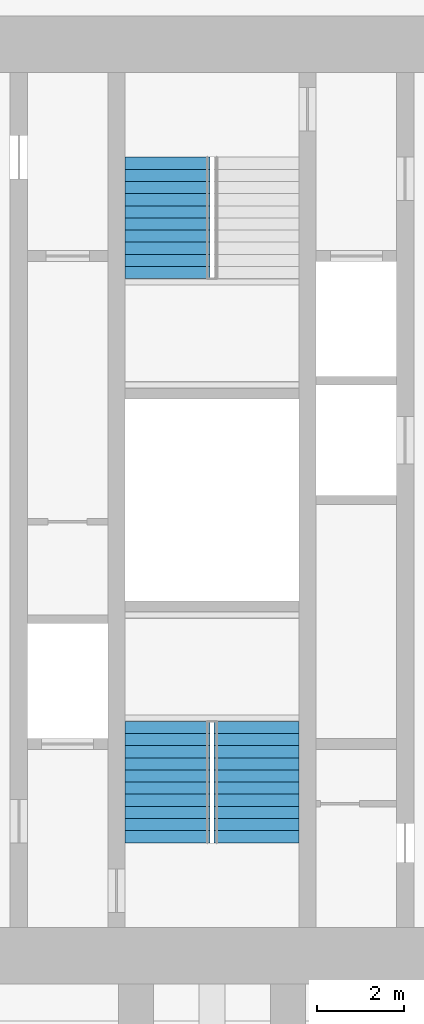
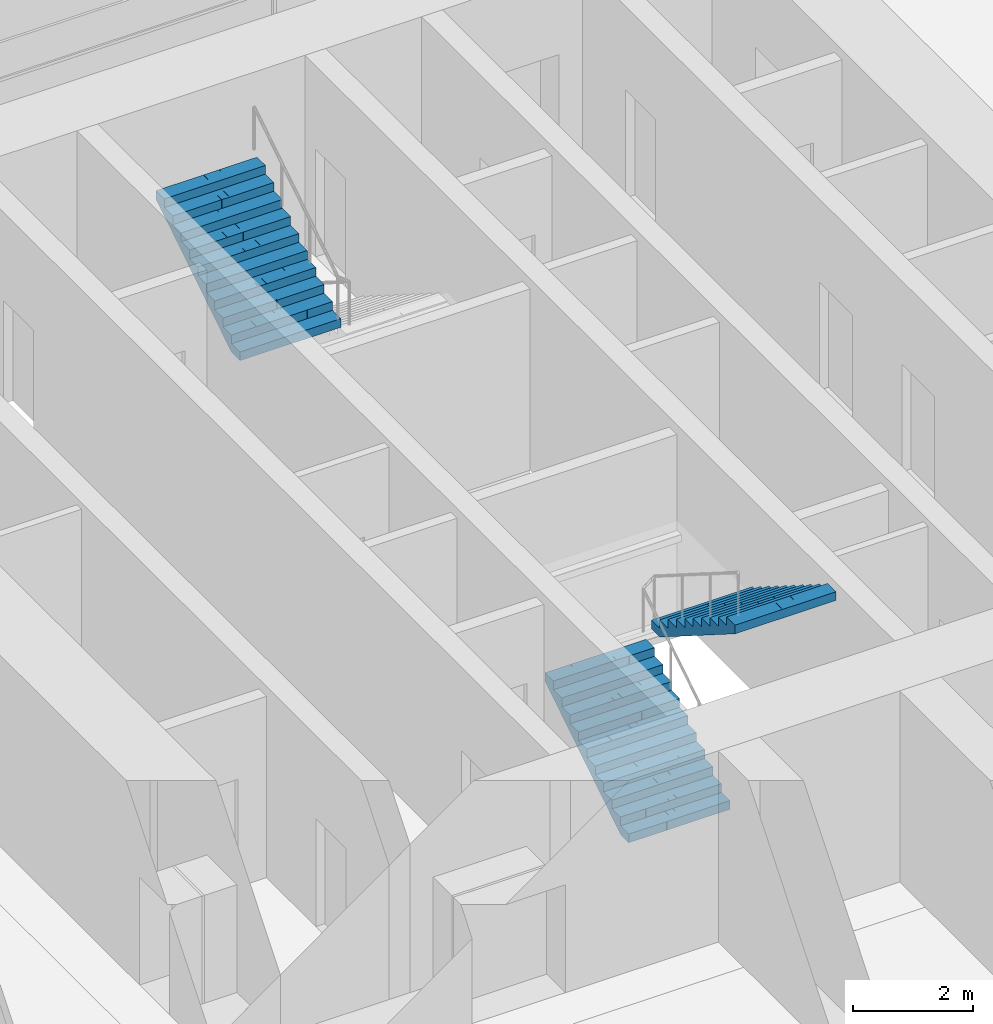
# One storey, part 14 of 16: 3 stair flights, 2 elements without a shape of their own.
"""IFC4 building model written with IfcOpenShell, lengths in metres."""

from ifc_helpers import new_model, si_unit, direction, frame, origin, place, context, subcontext, project, spatial, polyline, outline, extrude, material, type_object, element, aggregate, save


model = new_model("IFC4")

# Units and contexts
model_context = context("Model", 3, precision=1e-05, world=origin(), true_north=direction((0.0, 1.0)))
body_context = subcontext(model_context, "Body", "Model", "MODEL_VIEW")
ifc_project = project(units=[si_unit("LENGTHUNIT", "METRE"), si_unit("AREAUNIT", "SQUARE_METRE"), si_unit("VOLUMEUNIT", "CUBIC_METRE"), si_unit("PLANEANGLEUNIT", "RADIAN"), si_unit("MASSUNIT", "GRAM", prefix="KILO")], contexts=[model_context])

# Site, building, storey
site_placement = place(None, origin())
site = spatial("IfcSite", under=ifc_project, at=site_placement, CompositionType="ELEMENT")
building_placement = place(site_placement, origin())
building = spatial("IfcBuilding", under=site, at=building_placement, Name="Mizan Broadcast Tower", CompositionType="ELEMENT")
storey_placement = place(building_placement, frame((0.0, 0.0, 294.60009765625)))
storey = spatial("IfcBuildingStorey", under=building, at=storey_placement, Name="L70", CompositionType="ELEMENT", Elevation=294.60009765625)

# Stair, stair flights
ifc_material_1 = material(Name="Concrete C40/50", Category="concrete")
stair_type = type_object("IfcStairType", Name="EXIT STAIR", PredefinedType="HALF_TURN_STAIR", material=ifc_material_1)
stair_1_placement = place(storey_placement, origin())
stair_1 = element("IfcStair", 1, at=stair_1_placement, inside=storey, type_object=stair_type, Name="Stair A L70", PredefinedType="HALF_TURN_STAIR")
ifc_material_2 = material(Name="Concrete C40/50", Category="concrete")
stair_flight_type = type_object("IfcStairFlightType", Name="EXIT STAIR FLIGHT", PredefinedType="STRAIGHT", material=ifc_material_2)
stair_flight_1_placement = place(storey_placement, frame((-1.02490234375, -7.89990234375, 0.0), z_axis=(0.0, 0.0, 1.0), x_axis=(0.0, 1.0, 0.0)))
stair_flight_1 = element("IfcStairFlight", 2, at=stair_flight_1_placement, type_object=stair_flight_type, Name="A flight 1", NumberOfRisers=11, NumberOfTreads=10, PredefinedType="STRAIGHT", RiserHeight=0.177272727, TreadLength=0.28, context=body_context, shape_type="SweptSolid", body=[
    extrude(outline(polyline([(0.0, 0.0), (0.0, 0.17724609375), (0.280029296875, 0.17724609375), (0.280029296875, 0.3544921875), (0.56005859375, 0.3544921875), (0.56005859375, 0.53173828125), (0.840087890625, 0.53173828125), (0.840087890625, 0.708984375), (1.1201171875, 0.708984375), (1.1201171875, 0.886474609375), (1.39990234375, 0.886474609375), (1.39990234375, 1.063720703125), (1.679931640625, 1.063720703125), (1.679931640625, 1.240966796875), (1.9599609375, 1.240966796875), (1.9599609375, 1.418212890625), (2.239990234375, 1.418212890625), (2.239990234375, 1.595458984375), (2.52001953125, 1.595458984375), (2.52001953125, 1.772705078125), (2.800048828125, 1.772705078125), (2.800048828125, 1.949951171875), (2.800048828125, 1.59521484375), (0.2802734375, 0.0), (0.0, 0.0)])), frame((0.0, 0.97509765625, 0.0), z_axis=(0.0, -1.0, 0.0), x_axis=(1.0, 0.0, 0.0)), (0.0, 0.0, 1.0), 0.4873046875),
    extrude(outline(polyline([(0.0, 0.0), (0.0, 0.17724609375), (0.280029296875, 0.17724609375), (0.280029296875, 0.3544921875), (0.56005859375, 0.3544921875), (0.56005859375, 0.53173828125), (0.840087890625, 0.53173828125), (0.840087890625, 0.708984375), (1.1201171875, 0.708984375), (1.1201171875, 0.886474609375), (1.39990234375, 0.886474609375), (1.39990234375, 1.063720703125), (1.679931640625, 1.063720703125), (1.679931640625, 1.240966796875), (1.9599609375, 1.240966796875), (1.9599609375, 1.418212890625), (2.239990234375, 1.418212890625), (2.239990234375, 1.595458984375), (2.52001953125, 1.595458984375), (2.52001953125, 1.772705078125), (2.800048828125, 1.772705078125), (2.800048828125, 1.949951171875), (2.800048828125, 1.59521484375), (0.2802734375, 0.0), (0.0, 0.0)])), frame((0.0, 0.4873046875, 0.0), z_axis=(0.0, -1.0, 0.0), x_axis=(1.0, 0.0, 0.0)), (0.0, 0.0, 1.0), 0.2431640625),
    extrude(outline(polyline([(0.0, 0.0), (0.0, 0.17724609375), (0.280029296875, 0.17724609375), (0.280029296875, 0.3544921875), (0.56005859375, 0.3544921875), (0.56005859375, 0.53173828125), (0.840087890625, 0.53173828125), (0.840087890625, 0.708984375), (1.1201171875, 0.708984375), (1.1201171875, 0.886474609375), (1.39990234375, 0.886474609375), (1.39990234375, 1.063720703125), (1.679931640625, 1.063720703125), (1.679931640625, 1.240966796875), (1.9599609375, 1.240966796875), (1.9599609375, 1.418212890625), (2.239990234375, 1.418212890625), (2.239990234375, 1.595458984375), (2.52001953125, 1.595458984375), (2.52001953125, 1.772705078125), (2.800048828125, 1.772705078125), (2.800048828125, 1.949951171875), (2.800048828125, 1.59521484375), (0.2802734375, 0.0), (0.0, 0.0)])), frame((0.0, 0.24365234375, 0.0), z_axis=(0.0, -1.0, 0.0), x_axis=(1.0, 0.0, 0.0)), (0.0, 0.0, 1.0), 0.121337890625),
    extrude(outline(polyline([(0.0, 0.0), (0.0, 0.17724609375), (0.280029296875, 0.17724609375), (0.280029296875, 0.3544921875), (0.56005859375, 0.3544921875), (0.56005859375, 0.53173828125), (0.840087890625, 0.53173828125), (0.840087890625, 0.708984375), (1.1201171875, 0.708984375), (1.1201171875, 0.886474609375), (1.39990234375, 0.886474609375), (1.39990234375, 1.063720703125), (1.679931640625, 1.063720703125), (1.679931640625, 1.240966796875), (1.9599609375, 1.240966796875), (1.9599609375, 1.418212890625), (2.239990234375, 1.418212890625), (2.239990234375, 1.595458984375), (2.52001953125, 1.595458984375), (2.52001953125, 1.772705078125), (2.800048828125, 1.772705078125), (2.800048828125, 1.949951171875), (2.800048828125, 1.59521484375), (0.2802734375, 0.0), (0.0, 0.0)])), frame((0.0, 0.121826171875, 0.0), z_axis=(0.0, -1.0, 0.0), x_axis=(1.0, 0.0, 0.0)), (0.0, 0.0, 1.0), 0.060546875),
    extrude(outline(polyline([(0.0, 0.0), (0.0, 0.17724609375), (0.280029296875, 0.17724609375), (0.280029296875, 0.3544921875), (0.56005859375, 0.3544921875), (0.56005859375, 0.53173828125), (0.840087890625, 0.53173828125), (0.840087890625, 0.708984375), (1.1201171875, 0.708984375), (1.1201171875, 0.886474609375), (1.39990234375, 0.886474609375), (1.39990234375, 1.063720703125), (1.679931640625, 1.063720703125), (1.679931640625, 1.240966796875), (1.9599609375, 1.240966796875), (1.9599609375, 1.418212890625), (2.239990234375, 1.418212890625), (2.239990234375, 1.595458984375), (2.52001953125, 1.595458984375), (2.52001953125, 1.772705078125), (2.800048828125, 1.772705078125), (2.800048828125, 1.949951171875), (2.800048828125, 1.59521484375), (0.2802734375, 0.0), (0.0, 0.0)])), frame((0.0, 0.060791015625, 0.0), z_axis=(0.0, -1.0, 0.0), x_axis=(1.0, 0.0, 0.0)), (0.0, 0.0, 1.0), 0.030029296875),
    extrude(outline(polyline([(0.0, 0.0), (0.0, 0.17724609375), (0.280029296875, 0.17724609375), (0.280029296875, 0.3544921875), (0.56005859375, 0.3544921875), (0.56005859375, 0.53173828125), (0.840087890625, 0.53173828125), (0.840087890625, 0.708984375), (1.1201171875, 0.708984375), (1.1201171875, 0.886474609375), (1.39990234375, 0.886474609375), (1.39990234375, 1.063720703125), (1.679931640625, 1.063720703125), (1.679931640625, 1.240966796875), (1.9599609375, 1.240966796875), (1.9599609375, 1.418212890625), (2.239990234375, 1.418212890625), (2.239990234375, 1.595458984375), (2.52001953125, 1.595458984375), (2.52001953125, 1.772705078125), (2.800048828125, 1.772705078125), (2.800048828125, 1.949951171875), (2.800048828125, 1.59521484375), (0.2802734375, 0.0), (0.0, 0.0)])), frame((0.0, 0.0302734375, 0.0), z_axis=(0.0, -1.0, 0.0), x_axis=(1.0, 0.0, 0.0)), (0.0, 0.0, 1.0), 0.060302734375),
    extrude(outline(polyline([(0.0, 0.0), (0.0, 0.17724609375), (0.280029296875, 0.17724609375), (0.280029296875, 0.3544921875), (0.56005859375, 0.3544921875), (0.56005859375, 0.53173828125), (0.840087890625, 0.53173828125), (0.840087890625, 0.708984375), (1.1201171875, 0.708984375), (1.1201171875, 0.886474609375), (1.39990234375, 0.886474609375), (1.39990234375, 1.063720703125), (1.679931640625, 1.063720703125), (1.679931640625, 1.240966796875), (1.9599609375, 1.240966796875), (1.9599609375, 1.418212890625), (2.239990234375, 1.418212890625), (2.239990234375, 1.595458984375), (2.52001953125, 1.595458984375), (2.52001953125, 1.772705078125), (2.800048828125, 1.772705078125), (2.800048828125, 1.949951171875), (2.800048828125, 1.59521484375), (0.2802734375, 0.0), (0.0, 0.0)])), frame((0.0, -0.030517578125, 0.0), z_axis=(0.0, -1.0, 0.0), x_axis=(1.0, 0.0, 0.0)), (0.0, 0.0, 1.0), 0.030029296875),
    extrude(outline(polyline([(0.0, 0.0), (0.0, 0.17724609375), (0.280029296875, 0.17724609375), (0.280029296875, 0.3544921875), (0.56005859375, 0.3544921875), (0.56005859375, 0.53173828125), (0.840087890625, 0.53173828125), (0.840087890625, 0.708984375), (1.1201171875, 0.708984375), (1.1201171875, 0.886474609375), (1.39990234375, 0.886474609375), (1.39990234375, 1.063720703125), (1.679931640625, 1.063720703125), (1.679931640625, 1.240966796875), (1.9599609375, 1.240966796875), (1.9599609375, 1.418212890625), (2.239990234375, 1.418212890625), (2.239990234375, 1.595458984375), (2.52001953125, 1.595458984375), (2.52001953125, 1.772705078125), (2.800048828125, 1.772705078125), (2.800048828125, 1.949951171875), (2.800048828125, 1.59521484375), (0.2802734375, 0.0), (0.0, 0.0)])), frame((0.0, -0.06103515625, 0.0), z_axis=(0.0, -1.0, 0.0), x_axis=(1.0, 0.0, 0.0)), (0.0, 0.0, 1.0), 0.060546875),
    extrude(outline(polyline([(0.0, 0.0), (0.0, 0.17724609375), (0.280029296875, 0.17724609375), (0.280029296875, 0.3544921875), (0.56005859375, 0.3544921875), (0.56005859375, 0.53173828125), (0.840087890625, 0.53173828125), (0.840087890625, 0.708984375), (1.1201171875, 0.708984375), (1.1201171875, 0.886474609375), (1.39990234375, 0.886474609375), (1.39990234375, 1.063720703125), (1.679931640625, 1.063720703125), (1.679931640625, 1.240966796875), (1.9599609375, 1.240966796875), (1.9599609375, 1.418212890625), (2.239990234375, 1.418212890625), (2.239990234375, 1.595458984375), (2.52001953125, 1.595458984375), (2.52001953125, 1.772705078125), (2.800048828125, 1.772705078125), (2.800048828125, 1.949951171875), (2.800048828125, 1.59521484375), (0.2802734375, 0.0), (0.0, 0.0)])), frame((0.0, -0.1220703125, 0.0), z_axis=(0.0, -1.0, 0.0), x_axis=(1.0, 0.0, 0.0)), (0.0, 0.0, 1.0), 0.121337890625),
    extrude(outline(polyline([(0.0, 0.0), (0.0, 0.17724609375), (0.280029296875, 0.17724609375), (0.280029296875, 0.3544921875), (0.56005859375, 0.3544921875), (0.56005859375, 0.53173828125), (0.840087890625, 0.53173828125), (0.840087890625, 0.708984375), (1.1201171875, 0.708984375), (1.1201171875, 0.886474609375), (1.39990234375, 0.886474609375), (1.39990234375, 1.063720703125), (1.679931640625, 1.063720703125), (1.679931640625, 1.240966796875), (1.9599609375, 1.240966796875), (1.9599609375, 1.418212890625), (2.239990234375, 1.418212890625), (2.239990234375, 1.595458984375), (2.52001953125, 1.595458984375), (2.52001953125, 1.772705078125), (2.800048828125, 1.772705078125), (2.800048828125, 1.949951171875), (2.800048828125, 1.59521484375), (0.2802734375, 0.0), (0.0, 0.0)])), frame((0.0, -0.243896484375, 0.0), z_axis=(0.0, -1.0, 0.0), x_axis=(1.0, 0.0, 0.0)), (0.0, 0.0, 1.0), 0.2431640625),
    extrude(outline(polyline([(0.0, 0.0), (0.0, 0.17724609375), (0.280029296875, 0.17724609375), (0.280029296875, 0.3544921875), (0.56005859375, 0.3544921875), (0.56005859375, 0.53173828125), (0.840087890625, 0.53173828125), (0.840087890625, 0.708984375), (1.1201171875, 0.708984375), (1.1201171875, 0.886474609375), (1.39990234375, 0.886474609375), (1.39990234375, 1.063720703125), (1.679931640625, 1.063720703125), (1.679931640625, 1.240966796875), (1.9599609375, 1.240966796875), (1.9599609375, 1.418212890625), (2.239990234375, 1.418212890625), (2.239990234375, 1.595458984375), (2.52001953125, 1.595458984375), (2.52001953125, 1.772705078125), (2.800048828125, 1.772705078125), (2.800048828125, 1.949951171875), (2.800048828125, 1.59521484375), (0.2802734375, 0.0), (0.0, 0.0)])), frame((0.0, -0.487548828125, 0.0), z_axis=(0.0, -1.0, 0.0), x_axis=(1.0, 0.0, 0.0)), (0.0, 0.0, 1.0), 0.4873046875),
])
stair_flight_2_placement = place(storey_placement, frame((1.02490234375, -5.10009765625, 1.949951171875), z_axis=(0.0, 0.0, 1.0), x_axis=(0.0, -1.0, 0.0)))
stair_flight_2 = element("IfcStairFlight", 3, at=stair_flight_2_placement, type_object=stair_flight_type, Name="A flight 2", NumberOfRisers=11, NumberOfTreads=10, PredefinedType="STRAIGHT", RiserHeight=0.177272727, TreadLength=0.28, context=body_context, shape_type="SweptSolid", body=[
    extrude(outline(polyline([(0.0, 0.0), (0.0, 0.17724609375), (0.280029296875, 0.17724609375), (0.280029296875, 0.3544921875), (0.56005859375, 0.3544921875), (0.56005859375, 0.53173828125), (0.840087890625, 0.53173828125), (0.840087890625, 0.708984375), (1.1201171875, 0.708984375), (1.1201171875, 0.886474609375), (1.39990234375, 0.886474609375), (1.39990234375, 1.063720703125), (1.679931640625, 1.063720703125), (1.679931640625, 1.240966796875), (1.9599609375, 1.240966796875), (1.9599609375, 1.418212890625), (2.239990234375, 1.418212890625), (2.239990234375, 1.595458984375), (2.52001953125, 1.595458984375), (2.52001953125, 1.772705078125), (2.800048828125, 1.772705078125), (2.800048828125, 1.949951171875), (2.800048828125, 1.59521484375), (0.2802734375, 0.0), (0.0, 0.0)])), frame((0.0, 0.97509765625, 0.0), z_axis=(0.0, -1.0, 0.0), x_axis=(1.0, 0.0, 0.0)), (0.0, 0.0, 1.0), 0.4873046875),
    extrude(outline(polyline([(0.0, 0.0), (0.0, 0.17724609375), (0.280029296875, 0.17724609375), (0.280029296875, 0.3544921875), (0.56005859375, 0.3544921875), (0.56005859375, 0.53173828125), (0.840087890625, 0.53173828125), (0.840087890625, 0.708984375), (1.1201171875, 0.708984375), (1.1201171875, 0.886474609375), (1.39990234375, 0.886474609375), (1.39990234375, 1.063720703125), (1.679931640625, 1.063720703125), (1.679931640625, 1.240966796875), (1.9599609375, 1.240966796875), (1.9599609375, 1.418212890625), (2.239990234375, 1.418212890625), (2.239990234375, 1.595458984375), (2.52001953125, 1.595458984375), (2.52001953125, 1.772705078125), (2.800048828125, 1.772705078125), (2.800048828125, 1.949951171875), (2.800048828125, 1.59521484375), (0.2802734375, 0.0), (0.0, 0.0)])), frame((0.0, 0.4873046875, 0.0), z_axis=(0.0, -1.0, 0.0), x_axis=(1.0, 0.0, 0.0)), (0.0, 0.0, 1.0), 0.2431640625),
    extrude(outline(polyline([(0.0, 0.0), (0.0, 0.17724609375), (0.280029296875, 0.17724609375), (0.280029296875, 0.3544921875), (0.56005859375, 0.3544921875), (0.56005859375, 0.53173828125), (0.840087890625, 0.53173828125), (0.840087890625, 0.708984375), (1.1201171875, 0.708984375), (1.1201171875, 0.886474609375), (1.39990234375, 0.886474609375), (1.39990234375, 1.063720703125), (1.679931640625, 1.063720703125), (1.679931640625, 1.240966796875), (1.9599609375, 1.240966796875), (1.9599609375, 1.418212890625), (2.239990234375, 1.418212890625), (2.239990234375, 1.595458984375), (2.52001953125, 1.595458984375), (2.52001953125, 1.772705078125), (2.800048828125, 1.772705078125), (2.800048828125, 1.949951171875), (2.800048828125, 1.59521484375), (0.2802734375, 0.0), (0.0, 0.0)])), frame((0.0, 0.24365234375, 0.0), z_axis=(0.0, -1.0, 0.0), x_axis=(1.0, 0.0, 0.0)), (0.0, 0.0, 1.0), 0.121337890625),
    extrude(outline(polyline([(0.0, 0.0), (0.0, 0.17724609375), (0.280029296875, 0.17724609375), (0.280029296875, 0.3544921875), (0.56005859375, 0.3544921875), (0.56005859375, 0.53173828125), (0.840087890625, 0.53173828125), (0.840087890625, 0.708984375), (1.1201171875, 0.708984375), (1.1201171875, 0.886474609375), (1.39990234375, 0.886474609375), (1.39990234375, 1.063720703125), (1.679931640625, 1.063720703125), (1.679931640625, 1.240966796875), (1.9599609375, 1.240966796875), (1.9599609375, 1.418212890625), (2.239990234375, 1.418212890625), (2.239990234375, 1.595458984375), (2.52001953125, 1.595458984375), (2.52001953125, 1.772705078125), (2.800048828125, 1.772705078125), (2.800048828125, 1.949951171875), (2.800048828125, 1.59521484375), (0.2802734375, 0.0), (0.0, 0.0)])), frame((0.0, 0.121826171875, 0.0), z_axis=(0.0, -1.0, 0.0), x_axis=(1.0, 0.0, 0.0)), (0.0, 0.0, 1.0), 0.060546875),
    extrude(outline(polyline([(0.0, 0.0), (0.0, 0.17724609375), (0.280029296875, 0.17724609375), (0.280029296875, 0.3544921875), (0.56005859375, 0.3544921875), (0.56005859375, 0.53173828125), (0.840087890625, 0.53173828125), (0.840087890625, 0.708984375), (1.1201171875, 0.708984375), (1.1201171875, 0.886474609375), (1.39990234375, 0.886474609375), (1.39990234375, 1.063720703125), (1.679931640625, 1.063720703125), (1.679931640625, 1.240966796875), (1.9599609375, 1.240966796875), (1.9599609375, 1.418212890625), (2.239990234375, 1.418212890625), (2.239990234375, 1.595458984375), (2.52001953125, 1.595458984375), (2.52001953125, 1.772705078125), (2.800048828125, 1.772705078125), (2.800048828125, 1.949951171875), (2.800048828125, 1.59521484375), (0.2802734375, 0.0), (0.0, 0.0)])), frame((0.0, 0.060791015625, 0.0), z_axis=(0.0, -1.0, 0.0), x_axis=(1.0, 0.0, 0.0)), (0.0, 0.0, 1.0), 0.030029296875),
    extrude(outline(polyline([(0.0, 0.0), (0.0, 0.17724609375), (0.280029296875, 0.17724609375), (0.280029296875, 0.3544921875), (0.56005859375, 0.3544921875), (0.56005859375, 0.53173828125), (0.840087890625, 0.53173828125), (0.840087890625, 0.708984375), (1.1201171875, 0.708984375), (1.1201171875, 0.886474609375), (1.39990234375, 0.886474609375), (1.39990234375, 1.063720703125), (1.679931640625, 1.063720703125), (1.679931640625, 1.240966796875), (1.9599609375, 1.240966796875), (1.9599609375, 1.418212890625), (2.239990234375, 1.418212890625), (2.239990234375, 1.595458984375), (2.52001953125, 1.595458984375), (2.52001953125, 1.772705078125), (2.800048828125, 1.772705078125), (2.800048828125, 1.949951171875), (2.800048828125, 1.59521484375), (0.2802734375, 0.0), (0.0, 0.0)])), frame((0.0, 0.0302734375, 0.0), z_axis=(0.0, -1.0, 0.0), x_axis=(1.0, 0.0, 0.0)), (0.0, 0.0, 1.0), 0.060302734375),
    extrude(outline(polyline([(0.0, 0.0), (0.0, 0.17724609375), (0.280029296875, 0.17724609375), (0.280029296875, 0.3544921875), (0.56005859375, 0.3544921875), (0.56005859375, 0.53173828125), (0.840087890625, 0.53173828125), (0.840087890625, 0.708984375), (1.1201171875, 0.708984375), (1.1201171875, 0.886474609375), (1.39990234375, 0.886474609375), (1.39990234375, 1.063720703125), (1.679931640625, 1.063720703125), (1.679931640625, 1.240966796875), (1.9599609375, 1.240966796875), (1.9599609375, 1.418212890625), (2.239990234375, 1.418212890625), (2.239990234375, 1.595458984375), (2.52001953125, 1.595458984375), (2.52001953125, 1.772705078125), (2.800048828125, 1.772705078125), (2.800048828125, 1.949951171875), (2.800048828125, 1.59521484375), (0.2802734375, 0.0), (0.0, 0.0)])), frame((0.0, -0.030517578125, 0.0), z_axis=(0.0, -1.0, 0.0), x_axis=(1.0, 0.0, 0.0)), (0.0, 0.0, 1.0), 0.030029296875),
    extrude(outline(polyline([(0.0, 0.0), (0.0, 0.17724609375), (0.280029296875, 0.17724609375), (0.280029296875, 0.3544921875), (0.56005859375, 0.3544921875), (0.56005859375, 0.53173828125), (0.840087890625, 0.53173828125), (0.840087890625, 0.708984375), (1.1201171875, 0.708984375), (1.1201171875, 0.886474609375), (1.39990234375, 0.886474609375), (1.39990234375, 1.063720703125), (1.679931640625, 1.063720703125), (1.679931640625, 1.240966796875), (1.9599609375, 1.240966796875), (1.9599609375, 1.418212890625), (2.239990234375, 1.418212890625), (2.239990234375, 1.595458984375), (2.52001953125, 1.595458984375), (2.52001953125, 1.772705078125), (2.800048828125, 1.772705078125), (2.800048828125, 1.949951171875), (2.800048828125, 1.59521484375), (0.2802734375, 0.0), (0.0, 0.0)])), frame((0.0, -0.06103515625, 0.0), z_axis=(0.0, -1.0, 0.0), x_axis=(1.0, 0.0, 0.0)), (0.0, 0.0, 1.0), 0.060546875),
    extrude(outline(polyline([(0.0, 0.0), (0.0, 0.17724609375), (0.280029296875, 0.17724609375), (0.280029296875, 0.3544921875), (0.56005859375, 0.3544921875), (0.56005859375, 0.53173828125), (0.840087890625, 0.53173828125), (0.840087890625, 0.708984375), (1.1201171875, 0.708984375), (1.1201171875, 0.886474609375), (1.39990234375, 0.886474609375), (1.39990234375, 1.063720703125), (1.679931640625, 1.063720703125), (1.679931640625, 1.240966796875), (1.9599609375, 1.240966796875), (1.9599609375, 1.418212890625), (2.239990234375, 1.418212890625), (2.239990234375, 1.595458984375), (2.52001953125, 1.595458984375), (2.52001953125, 1.772705078125), (2.800048828125, 1.772705078125), (2.800048828125, 1.949951171875), (2.800048828125, 1.59521484375), (0.2802734375, 0.0), (0.0, 0.0)])), frame((0.0, -0.1220703125, 0.0), z_axis=(0.0, -1.0, 0.0), x_axis=(1.0, 0.0, 0.0)), (0.0, 0.0, 1.0), 0.121337890625),
    extrude(outline(polyline([(0.0, 0.0), (0.0, 0.17724609375), (0.280029296875, 0.17724609375), (0.280029296875, 0.3544921875), (0.56005859375, 0.3544921875), (0.56005859375, 0.53173828125), (0.840087890625, 0.53173828125), (0.840087890625, 0.708984375), (1.1201171875, 0.708984375), (1.1201171875, 0.886474609375), (1.39990234375, 0.886474609375), (1.39990234375, 1.063720703125), (1.679931640625, 1.063720703125), (1.679931640625, 1.240966796875), (1.9599609375, 1.240966796875), (1.9599609375, 1.418212890625), (2.239990234375, 1.418212890625), (2.239990234375, 1.595458984375), (2.52001953125, 1.595458984375), (2.52001953125, 1.772705078125), (2.800048828125, 1.772705078125), (2.800048828125, 1.949951171875), (2.800048828125, 1.59521484375), (0.2802734375, 0.0), (0.0, 0.0)])), frame((0.0, -0.243896484375, 0.0), z_axis=(0.0, -1.0, 0.0), x_axis=(1.0, 0.0, 0.0)), (0.0, 0.0, 1.0), 0.2431640625),
    extrude(outline(polyline([(0.0, 0.0), (0.0, 0.17724609375), (0.280029296875, 0.17724609375), (0.280029296875, 0.3544921875), (0.56005859375, 0.3544921875), (0.56005859375, 0.53173828125), (0.840087890625, 0.53173828125), (0.840087890625, 0.708984375), (1.1201171875, 0.708984375), (1.1201171875, 0.886474609375), (1.39990234375, 0.886474609375), (1.39990234375, 1.063720703125), (1.679931640625, 1.063720703125), (1.679931640625, 1.240966796875), (1.9599609375, 1.240966796875), (1.9599609375, 1.418212890625), (2.239990234375, 1.418212890625), (2.239990234375, 1.595458984375), (2.52001953125, 1.595458984375), (2.52001953125, 1.772705078125), (2.800048828125, 1.772705078125), (2.800048828125, 1.949951171875), (2.800048828125, 1.59521484375), (0.2802734375, 0.0), (0.0, 0.0)])), frame((0.0, -0.487548828125, 0.0), z_axis=(0.0, -1.0, 0.0), x_axis=(1.0, 0.0, 0.0)), (0.0, 0.0, 1.0), 0.4873046875),
])
aggregate(stair_1, [stair_flight_1, stair_flight_2])

# Stair, stair flight
stair_2_placement = place(storey_placement, origin())
stair_2 = element("IfcStair", 4, at=stair_2_placement, inside=storey, type_object=stair_type, Name="Stair B L70", PredefinedType="HALF_TURN_STAIR")
stair_flight_3_placement = place(storey_placement, frame((-1.02490234375, 5.10009765625, 1.949951171875), z_axis=(0.0, 0.0, 1.0), x_axis=(0.0, 1.0, 0.0)))
stair_flight_3 = element("IfcStairFlight", 5, at=stair_flight_3_placement, type_object=stair_flight_type, Name="B flight 2", NumberOfRisers=11, NumberOfTreads=10, PredefinedType="STRAIGHT", RiserHeight=0.177272727, TreadLength=0.28, context=body_context, shape_type="SweptSolid", body=[
    extrude(outline(polyline([(0.0, 0.0), (0.0, 0.17724609375), (0.280029296875, 0.17724609375), (0.280029296875, 0.3544921875), (0.56005859375, 0.3544921875), (0.56005859375, 0.53173828125), (0.840087890625, 0.53173828125), (0.840087890625, 0.708984375), (1.1201171875, 0.708984375), (1.1201171875, 0.886474609375), (1.39990234375, 0.886474609375), (1.39990234375, 1.063720703125), (1.679931640625, 1.063720703125), (1.679931640625, 1.240966796875), (1.9599609375, 1.240966796875), (1.9599609375, 1.418212890625), (2.239990234375, 1.418212890625), (2.239990234375, 1.595458984375), (2.52001953125, 1.595458984375), (2.52001953125, 1.772705078125), (2.800048828125, 1.772705078125), (2.800048828125, 1.949951171875), (2.800048828125, 1.59521484375), (0.2802734375, 0.0), (0.0, 0.0)])), frame((0.0, 0.97509765625, 0.0), z_axis=(0.0, -1.0, 0.0), x_axis=(1.0, 0.0, 0.0)), (0.0, 0.0, 1.0), 0.4873046875),
    extrude(outline(polyline([(0.0, 0.0), (0.0, 0.17724609375), (0.280029296875, 0.17724609375), (0.280029296875, 0.3544921875), (0.56005859375, 0.3544921875), (0.56005859375, 0.53173828125), (0.840087890625, 0.53173828125), (0.840087890625, 0.708984375), (1.1201171875, 0.708984375), (1.1201171875, 0.886474609375), (1.39990234375, 0.886474609375), (1.39990234375, 1.063720703125), (1.679931640625, 1.063720703125), (1.679931640625, 1.240966796875), (1.9599609375, 1.240966796875), (1.9599609375, 1.418212890625), (2.239990234375, 1.418212890625), (2.239990234375, 1.595458984375), (2.52001953125, 1.595458984375), (2.52001953125, 1.772705078125), (2.800048828125, 1.772705078125), (2.800048828125, 1.949951171875), (2.800048828125, 1.59521484375), (0.2802734375, 0.0), (0.0, 0.0)])), frame((0.0, 0.4873046875, 0.0), z_axis=(0.0, -1.0, 0.0), x_axis=(1.0, 0.0, 0.0)), (0.0, 0.0, 1.0), 0.2431640625),
    extrude(outline(polyline([(0.0, 0.0), (0.0, 0.17724609375), (0.280029296875, 0.17724609375), (0.280029296875, 0.3544921875), (0.56005859375, 0.3544921875), (0.56005859375, 0.53173828125), (0.840087890625, 0.53173828125), (0.840087890625, 0.708984375), (1.1201171875, 0.708984375), (1.1201171875, 0.886474609375), (1.39990234375, 0.886474609375), (1.39990234375, 1.063720703125), (1.679931640625, 1.063720703125), (1.679931640625, 1.240966796875), (1.9599609375, 1.240966796875), (1.9599609375, 1.418212890625), (2.239990234375, 1.418212890625), (2.239990234375, 1.595458984375), (2.52001953125, 1.595458984375), (2.52001953125, 1.772705078125), (2.800048828125, 1.772705078125), (2.800048828125, 1.949951171875), (2.800048828125, 1.59521484375), (0.2802734375, 0.0), (0.0, 0.0)])), frame((0.0, 0.24365234375, 0.0), z_axis=(0.0, -1.0, 0.0), x_axis=(1.0, 0.0, 0.0)), (0.0, 0.0, 1.0), 0.121337890625),
    extrude(outline(polyline([(0.0, 0.0), (0.0, 0.17724609375), (0.280029296875, 0.17724609375), (0.280029296875, 0.3544921875), (0.56005859375, 0.3544921875), (0.56005859375, 0.53173828125), (0.840087890625, 0.53173828125), (0.840087890625, 0.708984375), (1.1201171875, 0.708984375), (1.1201171875, 0.886474609375), (1.39990234375, 0.886474609375), (1.39990234375, 1.063720703125), (1.679931640625, 1.063720703125), (1.679931640625, 1.240966796875), (1.9599609375, 1.240966796875), (1.9599609375, 1.418212890625), (2.239990234375, 1.418212890625), (2.239990234375, 1.595458984375), (2.52001953125, 1.595458984375), (2.52001953125, 1.772705078125), (2.800048828125, 1.772705078125), (2.800048828125, 1.949951171875), (2.800048828125, 1.59521484375), (0.2802734375, 0.0), (0.0, 0.0)])), frame((0.0, 0.121826171875, 0.0), z_axis=(0.0, -1.0, 0.0), x_axis=(1.0, 0.0, 0.0)), (0.0, 0.0, 1.0), 0.060546875),
    extrude(outline(polyline([(0.0, 0.0), (0.0, 0.17724609375), (0.280029296875, 0.17724609375), (0.280029296875, 0.3544921875), (0.56005859375, 0.3544921875), (0.56005859375, 0.53173828125), (0.840087890625, 0.53173828125), (0.840087890625, 0.708984375), (1.1201171875, 0.708984375), (1.1201171875, 0.886474609375), (1.39990234375, 0.886474609375), (1.39990234375, 1.063720703125), (1.679931640625, 1.063720703125), (1.679931640625, 1.240966796875), (1.9599609375, 1.240966796875), (1.9599609375, 1.418212890625), (2.239990234375, 1.418212890625), (2.239990234375, 1.595458984375), (2.52001953125, 1.595458984375), (2.52001953125, 1.772705078125), (2.800048828125, 1.772705078125), (2.800048828125, 1.949951171875), (2.800048828125, 1.59521484375), (0.2802734375, 0.0), (0.0, 0.0)])), frame((0.0, 0.060791015625, 0.0), z_axis=(0.0, -1.0, 0.0), x_axis=(1.0, 0.0, 0.0)), (0.0, 0.0, 1.0), 0.030029296875),
    extrude(outline(polyline([(0.0, 0.0), (0.0, 0.17724609375), (0.280029296875, 0.17724609375), (0.280029296875, 0.3544921875), (0.56005859375, 0.3544921875), (0.56005859375, 0.53173828125), (0.840087890625, 0.53173828125), (0.840087890625, 0.708984375), (1.1201171875, 0.708984375), (1.1201171875, 0.886474609375), (1.39990234375, 0.886474609375), (1.39990234375, 1.063720703125), (1.679931640625, 1.063720703125), (1.679931640625, 1.240966796875), (1.9599609375, 1.240966796875), (1.9599609375, 1.418212890625), (2.239990234375, 1.418212890625), (2.239990234375, 1.595458984375), (2.52001953125, 1.595458984375), (2.52001953125, 1.772705078125), (2.800048828125, 1.772705078125), (2.800048828125, 1.949951171875), (2.800048828125, 1.59521484375), (0.2802734375, 0.0), (0.0, 0.0)])), frame((0.0, 0.0302734375, 0.0), z_axis=(0.0, -1.0, 0.0), x_axis=(1.0, 0.0, 0.0)), (0.0, 0.0, 1.0), 0.060302734375),
    extrude(outline(polyline([(0.0, 0.0), (0.0, 0.17724609375), (0.280029296875, 0.17724609375), (0.280029296875, 0.3544921875), (0.56005859375, 0.3544921875), (0.56005859375, 0.53173828125), (0.840087890625, 0.53173828125), (0.840087890625, 0.708984375), (1.1201171875, 0.708984375), (1.1201171875, 0.886474609375), (1.39990234375, 0.886474609375), (1.39990234375, 1.063720703125), (1.679931640625, 1.063720703125), (1.679931640625, 1.240966796875), (1.9599609375, 1.240966796875), (1.9599609375, 1.418212890625), (2.239990234375, 1.418212890625), (2.239990234375, 1.595458984375), (2.52001953125, 1.595458984375), (2.52001953125, 1.772705078125), (2.800048828125, 1.772705078125), (2.800048828125, 1.949951171875), (2.800048828125, 1.59521484375), (0.2802734375, 0.0), (0.0, 0.0)])), frame((0.0, -0.030517578125, 0.0), z_axis=(0.0, -1.0, 0.0), x_axis=(1.0, 0.0, 0.0)), (0.0, 0.0, 1.0), 0.030029296875),
    extrude(outline(polyline([(0.0, 0.0), (0.0, 0.17724609375), (0.280029296875, 0.17724609375), (0.280029296875, 0.3544921875), (0.56005859375, 0.3544921875), (0.56005859375, 0.53173828125), (0.840087890625, 0.53173828125), (0.840087890625, 0.708984375), (1.1201171875, 0.708984375), (1.1201171875, 0.886474609375), (1.39990234375, 0.886474609375), (1.39990234375, 1.063720703125), (1.679931640625, 1.063720703125), (1.679931640625, 1.240966796875), (1.9599609375, 1.240966796875), (1.9599609375, 1.418212890625), (2.239990234375, 1.418212890625), (2.239990234375, 1.595458984375), (2.52001953125, 1.595458984375), (2.52001953125, 1.772705078125), (2.800048828125, 1.772705078125), (2.800048828125, 1.949951171875), (2.800048828125, 1.59521484375), (0.2802734375, 0.0), (0.0, 0.0)])), frame((0.0, -0.06103515625, 0.0), z_axis=(0.0, -1.0, 0.0), x_axis=(1.0, 0.0, 0.0)), (0.0, 0.0, 1.0), 0.060546875),
    extrude(outline(polyline([(0.0, 0.0), (0.0, 0.17724609375), (0.280029296875, 0.17724609375), (0.280029296875, 0.3544921875), (0.56005859375, 0.3544921875), (0.56005859375, 0.53173828125), (0.840087890625, 0.53173828125), (0.840087890625, 0.708984375), (1.1201171875, 0.708984375), (1.1201171875, 0.886474609375), (1.39990234375, 0.886474609375), (1.39990234375, 1.063720703125), (1.679931640625, 1.063720703125), (1.679931640625, 1.240966796875), (1.9599609375, 1.240966796875), (1.9599609375, 1.418212890625), (2.239990234375, 1.418212890625), (2.239990234375, 1.595458984375), (2.52001953125, 1.595458984375), (2.52001953125, 1.772705078125), (2.800048828125, 1.772705078125), (2.800048828125, 1.949951171875), (2.800048828125, 1.59521484375), (0.2802734375, 0.0), (0.0, 0.0)])), frame((0.0, -0.1220703125, 0.0), z_axis=(0.0, -1.0, 0.0), x_axis=(1.0, 0.0, 0.0)), (0.0, 0.0, 1.0), 0.121337890625),
    extrude(outline(polyline([(0.0, 0.0), (0.0, 0.17724609375), (0.280029296875, 0.17724609375), (0.280029296875, 0.3544921875), (0.56005859375, 0.3544921875), (0.56005859375, 0.53173828125), (0.840087890625, 0.53173828125), (0.840087890625, 0.708984375), (1.1201171875, 0.708984375), (1.1201171875, 0.886474609375), (1.39990234375, 0.886474609375), (1.39990234375, 1.063720703125), (1.679931640625, 1.063720703125), (1.679931640625, 1.240966796875), (1.9599609375, 1.240966796875), (1.9599609375, 1.418212890625), (2.239990234375, 1.418212890625), (2.239990234375, 1.595458984375), (2.52001953125, 1.595458984375), (2.52001953125, 1.772705078125), (2.800048828125, 1.772705078125), (2.800048828125, 1.949951171875), (2.800048828125, 1.59521484375), (0.2802734375, 0.0), (0.0, 0.0)])), frame((0.0, -0.243896484375, 0.0), z_axis=(0.0, -1.0, 0.0), x_axis=(1.0, 0.0, 0.0)), (0.0, 0.0, 1.0), 0.2431640625),
    extrude(outline(polyline([(0.0, 0.0), (0.0, 0.17724609375), (0.280029296875, 0.17724609375), (0.280029296875, 0.3544921875), (0.56005859375, 0.3544921875), (0.56005859375, 0.53173828125), (0.840087890625, 0.53173828125), (0.840087890625, 0.708984375), (1.1201171875, 0.708984375), (1.1201171875, 0.886474609375), (1.39990234375, 0.886474609375), (1.39990234375, 1.063720703125), (1.679931640625, 1.063720703125), (1.679931640625, 1.240966796875), (1.9599609375, 1.240966796875), (1.9599609375, 1.418212890625), (2.239990234375, 1.418212890625), (2.239990234375, 1.595458984375), (2.52001953125, 1.595458984375), (2.52001953125, 1.772705078125), (2.800048828125, 1.772705078125), (2.800048828125, 1.949951171875), (2.800048828125, 1.59521484375), (0.2802734375, 0.0), (0.0, 0.0)])), frame((0.0, -0.487548828125, 0.0), z_axis=(0.0, -1.0, 0.0), x_axis=(1.0, 0.0, 0.0)), (0.0, 0.0, 1.0), 0.4873046875),
])
aggregate(stair_2, [stair_flight_3])

save(model, "model.ifc")
